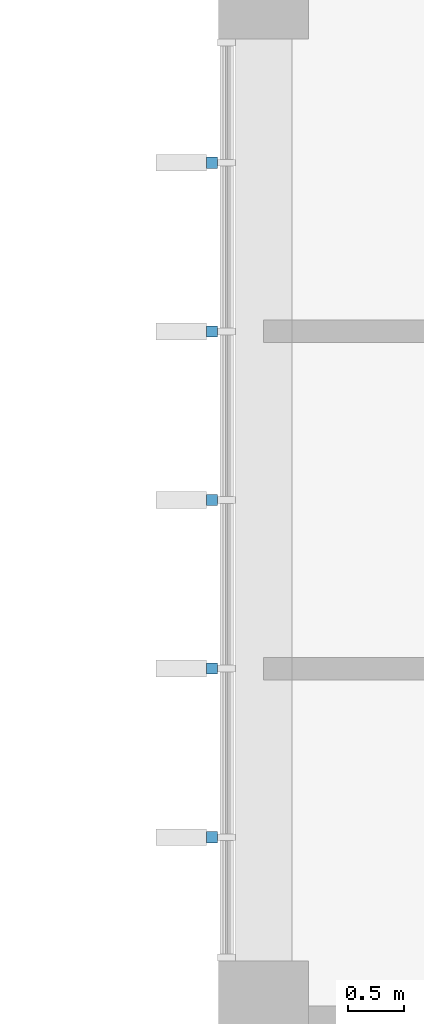
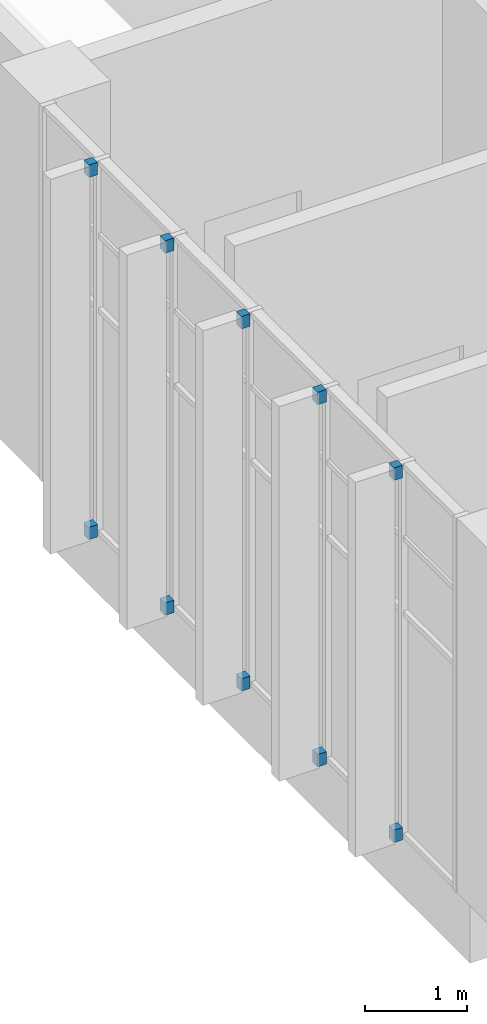
# One storey, part 38 of 43: 10 discrete accessories.
"""IFC4 building model written with IfcOpenShell, lengths in metres."""

from ifc_helpers import new_model, si_unit, direction, frame, origin, origin_2d, place, context, subcontext, project, spatial, rectangle, extrude, material, type_object, element, save


model = new_model("IFC4")

# Units and contexts
model_context = context("Model", 3, precision=1e-05, world=origin(), true_north=direction((0.0, 1.0)))
body_context = subcontext(model_context, "Body", "Model", "MODEL_VIEW")
ifc_project = project(units=[si_unit("LENGTHUNIT", "METRE"), si_unit("AREAUNIT", "SQUARE_METRE"), si_unit("VOLUMEUNIT", "CUBIC_METRE"), si_unit("PLANEANGLEUNIT", "RADIAN"), si_unit("MASSUNIT", "GRAM", prefix="KILO")], contexts=[model_context])

# Site, building, storey
site_placement = place(None, origin())
site = spatial("IfcSite", under=ifc_project, at=site_placement, CompositionType="ELEMENT")
building_placement = place(site_placement, origin())
building = spatial("IfcBuilding", under=site, at=building_placement, Name="Guidao Yard Department Store", CompositionType="ELEMENT")
storey_placement = place(building_placement, frame((0.0, 0.0, 28.5)))
storey = spatial("IfcBuildingStorey", under=building, at=storey_placement, Name="L06", CompositionType="ELEMENT", Elevation=28.5)

# Discrete accessories
ifc_material = material(Name="Steel Q355B", Category="steel")
discrete_accessory_type = type_object("IfcDiscreteAccessoryType", Name="Fin bracket BR3 steel plate", PredefinedType="BRACKET", material=ifc_material)
for number, where, z_axis, x_axis, name in (
    (1, (125.5400390625, 10.5, 0.0), (0.0, 0.0, 1.0), (0.0, 1.0, 0.0), "Fin bracket"),
    (2, (125.5400390625, 10.5, 4.35009765625), (0.0, 0.0, 1.0), (0.0, 1.0, 0.0), "Fin bracket"),
    (3, (125.5400390625, 12.0, 0.0), (0.0, 0.0, 1.0), (0.0, 1.0, 0.0), "Fin bracket"),
    (4, (125.5400390625, 12.0, 4.35009765625), (0.0, 0.0, 1.0), (0.0, 1.0, 0.0), "Fin bracket"),
    (5, (125.5400390625, 13.5, 0.0), (0.0, 0.0, 1.0), (0.0, 1.0, 0.0), "Fin bracket"),
    (6, (125.5400390625, 13.5, 4.35009765625), (0.0, 0.0, 1.0), (0.0, 1.0, 0.0), "Fin bracket"),
    (7, (125.5400390625, 15.0, 0.0), (0.0, 0.0, 1.0), (0.0, 1.0, 0.0), "Fin bracket"),
    (8, (125.5400390625, 15.0, 4.35009765625), (0.0, 0.0, 1.0), (0.0, 1.0, 0.0), "Fin bracket"),
    (9, (125.5400390625, 16.5, 0.0), (0.0, 0.0, 1.0), (0.0, 1.0, 0.0), "Fin bracket"),
    (10, (125.5400390625, 16.5, 4.35009765625), (0.0, 0.0, 1.0), (0.0, 1.0, 0.0), "Fin bracket"),
):
    element("IfcDiscreteAccessory", number, at=place(storey_placement, frame(where, z_axis=z_axis, x_axis=x_axis)), inside=storey, type_object=discrete_accessory_type, Name=name, PredefinedType="BRACKET", context=body_context, shape_type="SweptSolid", body=[
        extrude(rectangle(XDim=0.10009765625, YDim=0.10009765625, at=origin_2d()), origin(), (0.0, 0.0, 1.0), 0.14990234375),
    ])

save(model, "model.ifc")
